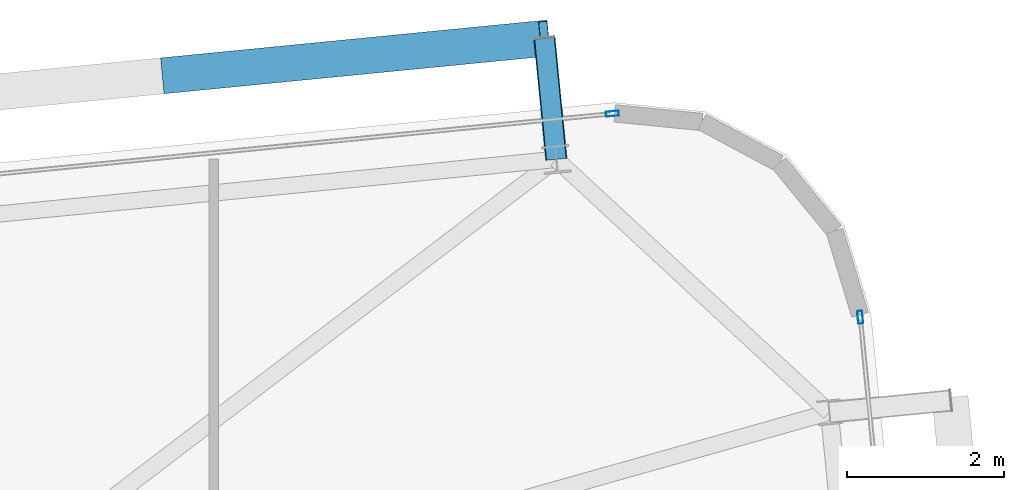
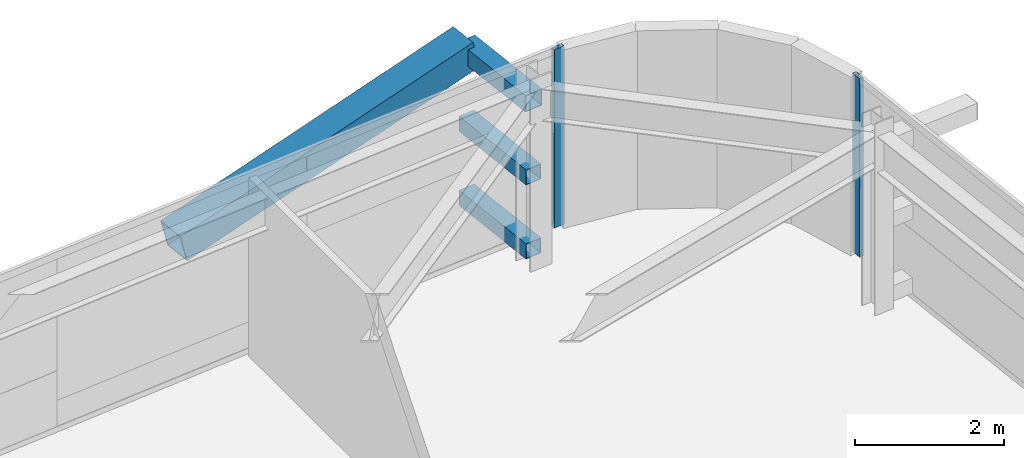
# One storey, part 31 of 47: 6 members, 2 elements without a shape of their own.
"""IFC4 building model written with IfcOpenShell, lengths in metres."""

from ifc_helpers import new_model, si_unit, direction, frame, origin, origin_2d, place, context, subcontext, project, spatial, hollow_rectangle, extrude, source, transform, mapped, material, layer, layer_set, material_profile, profile_set, type_object, element, aggregate, save


model = new_model("IFC4")

# Units and contexts
model_context = context("Model", 3, precision=1e-05, world=origin(), true_north=direction((0.0, 1.0)))
body_context = subcontext(model_context, "Body", "Model", "MODEL_VIEW")
ifc_project = project(units=[si_unit("LENGTHUNIT", "METRE"), si_unit("AREAUNIT", "SQUARE_METRE"), si_unit("VOLUMEUNIT", "CUBIC_METRE"), si_unit("PLANEANGLEUNIT", "RADIAN"), si_unit("MASSUNIT", "GRAM", prefix="KILO")], contexts=[model_context])

# Site, building, storey
site_placement = place(None, origin())
site = spatial("IfcSite", under=ifc_project, at=site_placement, CompositionType="ELEMENT")
building_placement = place(site_placement, origin())
building = spatial("IfcBuilding", under=site, at=building_placement, Name="Taldren Reach Tower", CompositionType="ELEMENT")
storey_placement = place(building_placement, frame((0.0, 0.0, 87.14990234375)))
storey = spatial("IfcBuildingStorey", under=building, at=storey_placement, Name="L26", CompositionType="ELEMENT", Elevation=87.14990234375)

# Members
ifc_material_1 = material(Name="Steel Gr 450 (C450L0)", Category="steel")
ifc_material_profile_1 = material_profile(ifc_material_1, hollow_rectangle(XDim=0.27490234375, YDim=0.27490234375, WallThickness=0.00927734375, at=origin_2d()), Name="275x275x9.3SHS")
ifc_profile_set_1 = profile_set([ifc_material_profile_1], Name="Steel Gr 450 (C450L0)")
member_type_1 = type_object("IfcMemberType", Name="MB-TIE273", PredefinedType="STRUT", material=ifc_profile_set_1)
shared_shape_1 = source(origin(), body_context, "Body", "SweptSolid", [
    extrude(hollow_rectangle(XDim=0.27490234375, YDim=0.27490234375, WallThickness=0.00927734375, at=origin_2d()), origin(), (0.0, 0.0, 1.0), 1.5498046875),
])
member_1_placement = place(storey_placement, frame((59.765869140625, 38.679931640625, 2.650146484375), z_axis=(-0.097663201064, 0.995219523099, 0.0), x_axis=(-0.995219523099, -0.097663201064, 0.0)))
element("IfcMember", 1, at=member_1_placement, inside=storey, type_object=member_type_1, Name="Exoskeleton diaphragm tie strut B2-N6 L26", PredefinedType="STRUT", context=body_context, shape_type="MappedRepresentation", body=[
    mapped(shared_shape_1, transform((0.0, 0.0, 0.0), scale=1.0)),
])
ifc_material_2 = material(Name="Steel Gr 350 (C350L0)", Category="steel")
ifc_material_profile_2 = material_profile(ifc_material_2, hollow_rectangle(XDim=0.25, YDim=0.25, WallThickness=0.010009765625, at=origin_2d()), Name="250x250x10.0SHS")
ifc_profile_set_2 = profile_set([ifc_material_profile_2], Name="Steel Gr 350 (C350L0)")
member_type_2 = type_object("IfcMemberType", Name="MB-POST250", PredefinedType="POST", material=ifc_profile_set_2)
shared_shape_2 = source(origin(), body_context, "Body", "SweptSolid", [
    extrude(hollow_rectangle(XDim=0.25, YDim=0.25, WallThickness=0.010009765625, at=origin_2d()), origin(), (0.0, 0.0, 1.0), 1.5498046875),
])
for number, where, z_axis, x_axis, name in (
    (2, (59.765869140625, 38.679931640625, 0.22021484375), (-0.097663201064, 0.995219523099, 0.0), (-0.995219523099, -0.097663201064, 0.0), "Exoskeleton base diaphragm tie strut B2-N6 L26"),
    (3, (59.765869140625, 38.679931640625, 1.43505859375), (-0.097663201064, 0.995219523099, 0.0), (-0.995219523099, -0.097663201064, 0.0), "Exoskeleton mid-tier diaphragm tie B2-N6 L26"),
):
    element("IfcMember", number, at=place(storey_placement, frame(where, z_axis=z_axis, x_axis=x_axis)), inside=storey, type_object=member_type_2, Name=name, PredefinedType="POST", context=body_context, shape_type="MappedRepresentation", body=[
        mapped(shared_shape_2, transform((0.0, 0.0, 0.0), scale=1.0)),
    ])
ifc_material_profile_3 = material_profile(ifc_material_1, hollow_rectangle(XDim=0.4599609375, YDim=0.4599609375, WallThickness=0.01611328125, at=origin_2d()), Name="460x460x16.0SHS")
ifc_profile_set_3 = profile_set([ifc_material_profile_3], Name="Steel Gr 450 (C450L0)")
member_type_3 = type_object("IfcMemberType", Name="MB-EXO457", PredefinedType="BRACE", material=ifc_profile_set_3)
shared_shape_3 = source(origin(), body_context, "Body", "SweptSolid", [
    extrude(hollow_rectangle(XDim=0.4599609375, YDim=0.4599609375, WallThickness=0.01611328125, at=origin_2d()), origin(), (0.0, 0.0, 1.0), 4.990234375),
])
member_2_placement = place(storey_placement, frame((54.797607421875, 39.750244140625, 1.43505859375), z_axis=(0.965275526283, 0.094619506732, 0.243496010862), x_axis=(-0.097555749586, 0.995230061706, 0.0)))
element("IfcMember", 4, at=member_2_placement, inside=storey, type_object=member_type_3, Name="Exoskeleton Diagrid Brace B2-N5 L26", PredefinedType="BRACE", context=body_context, shape_type="MappedRepresentation", body=[
    mapped(shared_shape_3, transform((0.0, 0.0, 0.0), scale=1.0)),
])

# Curtain wall, member
ifc_material_3 = material(Name="Aluminium and Low-E Glass Unitised System", Category="aluminium")
ifc_layer = layer(ifc_material_3, 0.159912109375)
ifc_layer_set = layer_set([ifc_layer], Name="Aluminium and Low-E Glass Unitised System")
curtain_wall_type = type_object("IfcCurtainWallType", Name="CW-SYS-3", PredefinedType="NOTDEFINED", material=ifc_layer_set)
curtain_wall_1_placement = place(storey_placement, origin())
curtain_wall_1 = element("IfcCurtainWall", 5, at=curtain_wall_1_placement, inside=storey, type_object=curtain_wall_type, Name="Unitised curtain wall CW-L26-N", PredefinedType="NOTDEFINED")
ifc_material_4 = material(Name="Anodised Aluminium 6063-T6", Category="aluminium")
ifc_material_profile_4 = material_profile(ifc_material_4, hollow_rectangle(XDim=0.06494140625, YDim=0.1650390625, WallThickness=0.00390625, at=origin_2d()), Name="ALU-165x65x4RHS")
ifc_profile_set_4 = profile_set([ifc_material_profile_4], Name="Anodised Aluminium 6063-T6")
member_type_4 = type_object("IfcMemberType", Name="CW-MUL-165", PredefinedType="MULLION", material=ifc_profile_set_4)
shared_shape_4 = source(origin(), body_context, "Body", "SweptSolid", [
    extrude(hollow_rectangle(XDim=0.06494140625, YDim=0.1650390625, WallThickness=0.00390625, at=origin_2d()), origin(), (0.0, 0.0, 1.0), 2.93017578125),
])
member_3_placement = place(storey_placement, frame((60.47998046875, 39.262451171875, 0.0), z_axis=(0.0, 0.0, 1.0), x_axis=(0.097582999046, -0.995227390247, 0.0)))
member_3 = element("IfcMember", 6, at=member_3_placement, type_object=member_type_4, Name="CW-3 mullion 1", PredefinedType="MULLION", context=body_context, shape_type="MappedRepresentation", body=[
    mapped(shared_shape_4, transform((0.0, 0.0, 0.0), scale=1.0)),
])
aggregate(curtain_wall_1, [member_3])

curtain_wall_2_placement = place(storey_placement, origin())
curtain_wall_2 = element("IfcCurtainWall", 7, at=curtain_wall_2_placement, inside=storey, type_object=curtain_wall_type, Name="Unitised curtain wall CW-L26-E", PredefinedType="NOTDEFINED")
member_4_placement = place(storey_placement, frame((63.640869140625, 36.666015625, 0.0), z_axis=(0.0, 0.0, 1.0), x_axis=(-0.99522741555, -0.09758274098, 0.0)))
member_4 = element("IfcMember", 8, at=member_4_placement, type_object=member_type_4, Name="CW-3 mullion 4", PredefinedType="MULLION", context=body_context, shape_type="MappedRepresentation", body=[
    mapped(shared_shape_4, transform((0.0, 0.0, 0.0), scale=1.0)),
])
aggregate(curtain_wall_2, [member_4])

save(model, "model.ifc")
